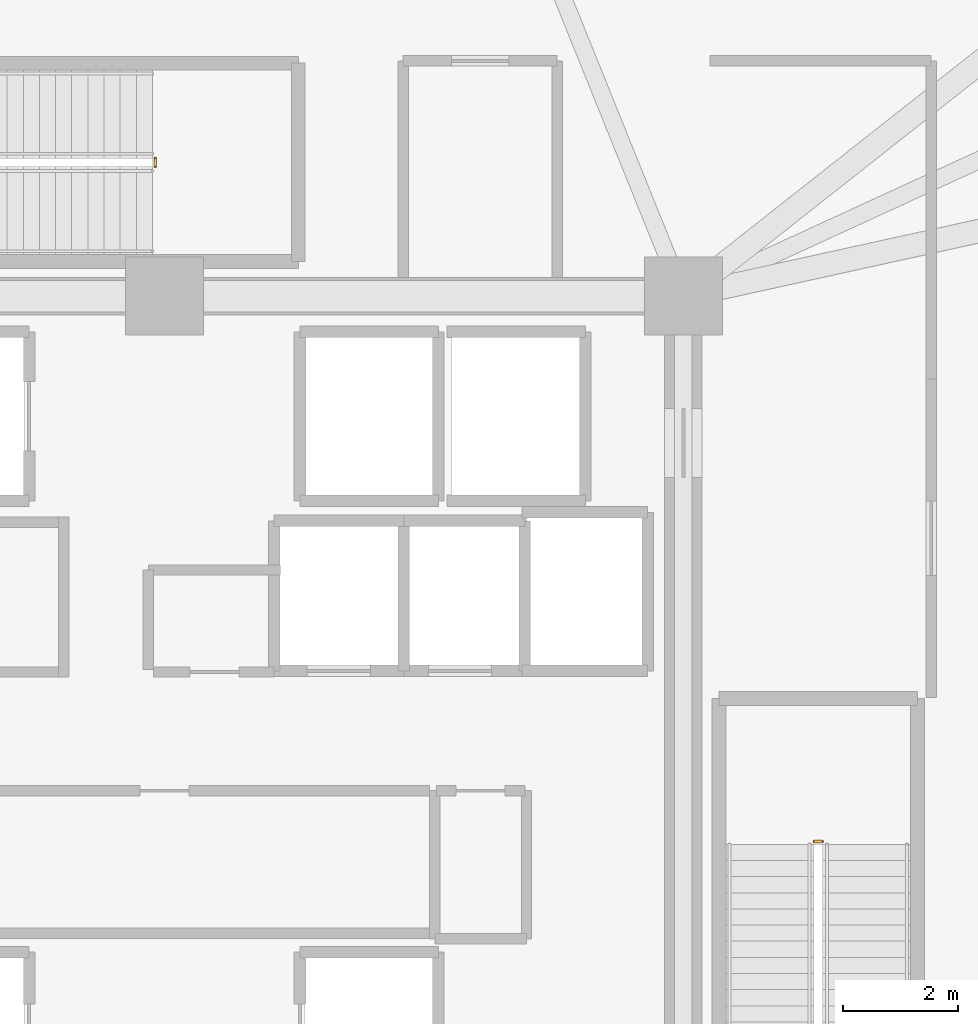
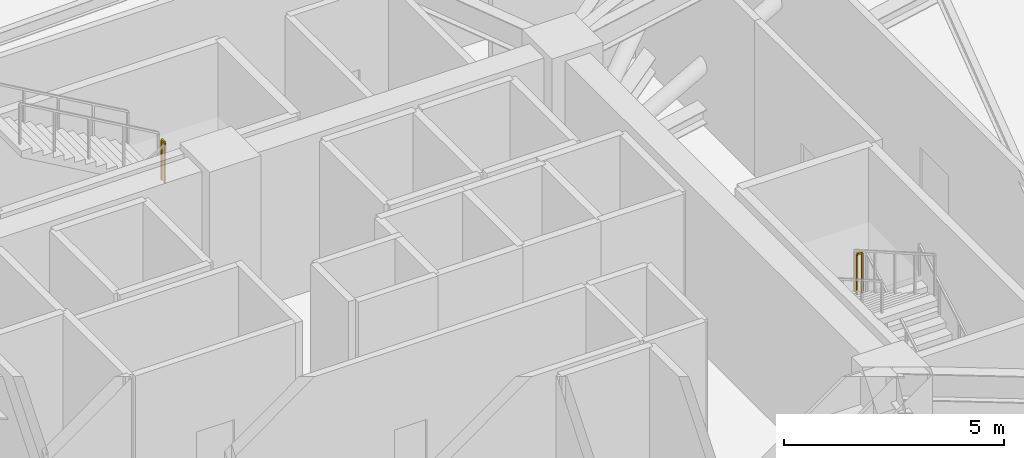
# One storey, part 24 of 25: 2 railings.
"""IFC4 building model written with IfcOpenShell, lengths in metres."""

from ifc_helpers import new_model, si_unit, direction, frame, origin, origin_2d, place, context, subcontext, project, spatial, rectangle, extrude, material, type_object, element, save


model = new_model("IFC4")

# Units and contexts
model_context = context("Model", 3, precision=1e-05, world=origin(), true_north=direction((0.0, 1.0)))
body_context = subcontext(model_context, "Body", "Model", "MODEL_VIEW")
ifc_project = project(units=[si_unit("LENGTHUNIT", "METRE"), si_unit("AREAUNIT", "SQUARE_METRE"), si_unit("VOLUMEUNIT", "CUBIC_METRE"), si_unit("PLANEANGLEUNIT", "RADIAN"), si_unit("MASSUNIT", "GRAM", prefix="KILO")], contexts=[model_context])

# Site, building, storey
site_placement = place(None, origin())
site = spatial("IfcSite", under=ifc_project, at=site_placement, CompositionType="ELEMENT")
building_placement = place(site_placement, origin())
building = spatial("IfcBuilding", under=site, at=building_placement, Name="Liaohun Quay Tower", CompositionType="ELEMENT")
storey_placement = place(building_placement, frame((0.0, 0.0, 231.75)))
storey = spatial("IfcBuildingStorey", under=building, at=storey_placement, Name="L60", CompositionType="ELEMENT", Elevation=231.75)

# Railings
ifc_material = material(Name="Painted tubular steel", Category="steel")
railing_type = type_object("IfcRailingType", Name="RLG-GUARD-STR", PredefinedType="GUARDRAIL", material=ifc_material)
railing_1_placement = place(storey_placement, frame((71.409912109375, 52.0400390625, 2.25)))
element("IfcRailing", 1, at=railing_1_placement, inside=storey, type_object=railing_type, Name="L60 ST-2 stair guard 2", PredefinedType="GUARDRAIL", context=body_context, shape_type="SweptSolid", body=[
    extrude(rectangle(XDim=0.048095703125, YDim=0.048095703125, at=origin_2d()), frame((0.0, 0.0, 1.1259765625), z_axis=(-1.0, 0.0, 0.0), x_axis=(0.0, -1.0, 0.0)), (0.0, 0.0, 1.0), 0.139892578125),
    extrude(rectangle(XDim=0.0419921875, YDim=0.0419921875, at=origin_2d()), origin(), (0.0, 0.0, 1.0), 1.101806640625),
    extrude(rectangle(XDim=0.0419921875, YDim=0.0419921875, at=origin_2d()), frame((-0.139892578125, 0.0, 0.0)), (0.0, 0.0, 1.0), 1.101806640625),
])
railing_2_placement = place(storey_placement, frame((59.840087890625, 63.75, 2.25)))
element("IfcRailing", 2, at=railing_2_placement, inside=storey, type_object=railing_type, Name="L60 ST-3 stair guard 2", PredefinedType="GUARDRAIL", context=body_context, shape_type="SweptSolid", body=[
    extrude(rectangle(XDim=0.048095703125, YDim=0.048095703125, at=origin_2d()), frame((0.0, 0.0, 1.1259765625), z_axis=(0.0, 1.0, 0.0), x_axis=(-1.0, 0.0, 0.0)), (0.0, 0.0, 1.0), 0.139892578125),
    extrude(rectangle(XDim=0.0419921875, YDim=0.0419921875, at=origin_2d()), origin(), (0.0, 0.0, 1.0), 1.101806640625),
    extrude(rectangle(XDim=0.0419921875, YDim=0.0419921875, at=origin_2d()), frame((0.0, 0.139892578125, 0.0)), (0.0, 0.0, 1.0), 1.101806640625),
])

save(model, "model.ifc")
